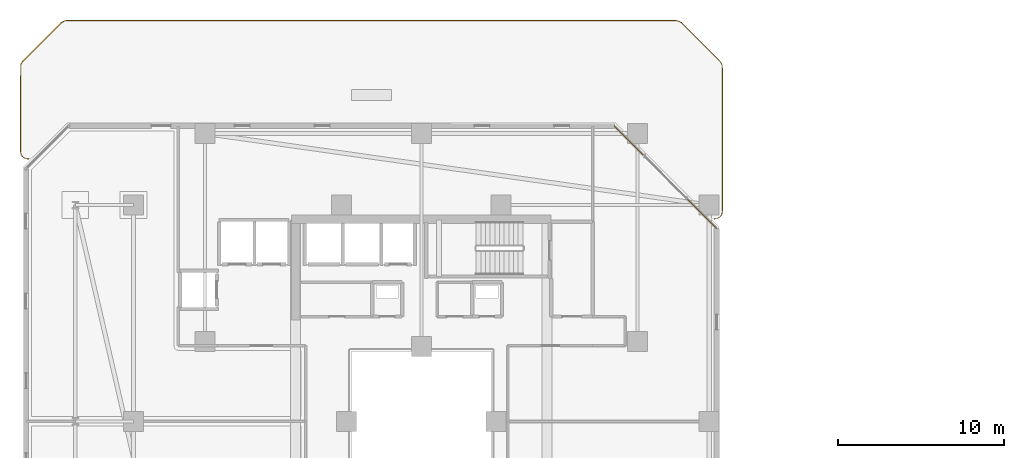
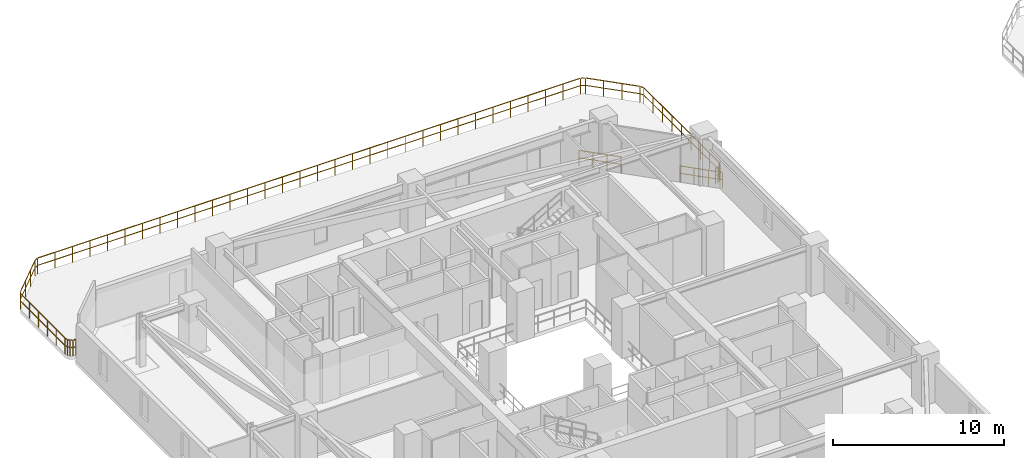
# One storey, part 29 of 31: 3 railings.
"""IFC4 building model written with IfcOpenShell, lengths in metres."""

from ifc_helpers import new_model, si_unit, direction, frame, origin, origin_2d, place, context, subcontext, project, spatial, rectangle, extrude, material, type_object, element, save


model = new_model("IFC4")

# Units and contexts
model_context = context("Model", 3, precision=1e-05, world=origin(), true_north=direction((0.0, 1.0)))
body_context = subcontext(model_context, "Body", "Model", "MODEL_VIEW")
ifc_project = project(units=[si_unit("LENGTHUNIT", "METRE"), si_unit("AREAUNIT", "SQUARE_METRE"), si_unit("VOLUMEUNIT", "CUBIC_METRE"), si_unit("PLANEANGLEUNIT", "RADIAN"), si_unit("MASSUNIT", "GRAM", prefix="KILO")], contexts=[model_context])

# Site, building, storey
site_placement = place(None, origin())
site = spatial("IfcSite", under=ifc_project, at=site_placement, CompositionType="ELEMENT")
building_placement = place(site_placement, origin())
building = spatial("IfcBuilding", under=site, at=building_placement, Name="Thornwick Lancets Civic Towers", CompositionType="ELEMENT")
storey_placement = place(building_placement, frame((0.0, 0.0, 119.699951171875)))
storey = spatial("IfcBuildingStorey", under=building, at=storey_placement, Name="L31", CompositionType="ELEMENT", Elevation=119.699951171875)

# Railings
ifc_material = material(Name="Terracotta-capped laminated glass balustrade S355", Category="masonry")
railing_type = type_object("IfcRailingType", Name="RAIL_TERR_GUARD", PredefinedType="GUARDRAIL", material=ifc_material)
for number, where, name in (
    (1, (43.252685546875, 38.596435546875, 0.0), "L31 Tower A Chamfer Spandrel Guard E3-1"),
    (2, (38.908447265625, 42.940673828125, 0.0), "L31 Tower A Chamfer Spandrel Guard E3-2"),
):
    element("IfcRailing", number, at=place(storey_placement, frame(where)), inside=storey, type_object=railing_type, Name=name, PredefinedType="GUARDRAIL", context=body_context, shape_type="SweptSolid", body=[
        extrude(rectangle(XDim=0.048095703125, YDim=0.048095703125, at=origin_2d()), frame((0.0, 0.0, 1.1259765625), z_axis=(-0.707106781187, 0.707106781187, 0.0), x_axis=(-0.707106781187, -0.707106781187, 0.0)), (0.0, 0.0, 1.0), 2.5625),
        extrude(rectangle(XDim=0.0419921875, YDim=0.0419921875, at=origin_2d()), frame((-0.026611328125, 0.026611328125, 0.597900390625), z_axis=(-0.707106781187, 0.707106781187, 0.0), x_axis=(-0.707106781187, -0.707106781187, 0.0)), (0.0, 0.0, 1.0), 0.779296875),
        extrude(rectangle(XDim=0.0419921875, YDim=0.0419921875, at=origin_2d()), frame((-0.630615234375, 0.630615234375, 0.597900390625), z_axis=(-0.707106781187, 0.707106781187, 0.0), x_axis=(-0.707106781187, -0.707106781187, 0.0)), (0.0, 0.0, 1.0), 0.779296875),
        extrude(rectangle(XDim=0.0419921875, YDim=0.0419921875, at=origin_2d()), frame((-1.234619140625, 1.234619140625, 0.597900390625), z_axis=(-0.707106781187, 0.707106781187, 0.0), x_axis=(-0.707106781187, -0.707106781187, 0.0)), (0.0, 0.0, 1.0), 0.779296875),
        extrude(rectangle(XDim=0.0419921875, YDim=0.0419921875, at=origin_2d()), origin(), (0.0, 0.0, 1.0), 1.095703125),
        extrude(rectangle(XDim=0.0419921875, YDim=0.0419921875, at=origin_2d()), frame((-0.60400390625, 0.60400390625, 0.0)), (0.0, 0.0, 1.0), 1.095703125),
        extrude(rectangle(XDim=0.0419921875, YDim=0.0419921875, at=origin_2d()), frame((-1.2080078125, 1.2080078125, 0.0)), (0.0, 0.0, 1.0), 1.095703125),
        extrude(rectangle(XDim=0.0419921875, YDim=0.0419921875, at=origin_2d()), frame((-1.81201171875, 1.81201171875, 0.0)), (0.0, 0.0, 1.0), 1.095703125),
    ])
railing_placement = place(storey_placement, frame((1.897705078125, 42.767333984375, 0.0)))
element("IfcRailing", 3, at=railing_placement, inside=storey, type_object=railing_type, Name="L31 Tower A Sky-Garden Guard 1", PredefinedType="GUARDRAIL", context=body_context, shape_type="SweptSolid", body=[
    extrude(rectangle(XDim=0.048095703125, YDim=0.048095703125, at=origin_2d()), frame((0.0, 0.0, 1.1259765625), z_axis=(-0.99556264392, 0.094101126617, 0.0), x_axis=(-0.094101126617, -0.99556264392, 0.0)), (0.0, 0.0, 1.0), 0.147705078125),
    extrude(rectangle(XDim=0.0419921875, YDim=0.0419921875, at=origin_2d()), frame((-0.037353515625, 0.00341796875, 0.597900390625), z_axis=(-0.99556264392, 0.094101126617, 0.0), x_axis=(-0.094101126617, -0.99556264392, 0.0)), (0.0, 0.0, 1.0), 0.10400390625),
    extrude(rectangle(XDim=0.048095703125, YDim=0.048095703125, at=origin_2d()), frame((-0.205810546875, 0.031494140625, 1.1259765625), z_axis=(-0.882737459384, 0.469866553184, 0.0), x_axis=(-0.469866553184, -0.882737459384, 0.0)), (0.0, 0.0, 1.0), 0.113037109375),
    extrude(rectangle(XDim=0.0419921875, YDim=0.0419921875, at=origin_2d()), frame((-0.21142578125, 0.034423828125, 0.597900390625), z_axis=(-0.882737459384, 0.469866553184, 0.0), x_axis=(-0.469866553184, -0.882737459384, 0.0)), (0.0, 0.0, 1.0), 0.1005859375),
    extrude(rectangle(XDim=0.048095703125, YDim=0.048095703125, at=origin_2d()), frame((-0.35302734375, 0.12353515625, 1.1259765625), z_axis=(-0.63346470779, 0.773771583857, 0.0), x_axis=(-0.773771583857, -0.63346470779, 0.0)), (0.0, 0.0, 1.0), 0.11328125),
    extrude(rectangle(XDim=0.0419921875, YDim=0.0419921875, at=origin_2d()), frame((-0.35693359375, 0.12841796875, 0.597900390625), z_axis=(-0.63346470779, 0.773771583857, 0.0), x_axis=(-0.773771583857, -0.63346470779, 0.0)), (0.0, 0.0, 1.0), 0.100830078125),
    extrude(rectangle(XDim=0.048095703125, YDim=0.048095703125, at=origin_2d()), frame((-0.45361328125, 0.265380859375, 1.1259765625), z_axis=(-0.290663510508, 0.956825336025, 0.0), x_axis=(-0.956825336025, -0.290663510508, 0.0)), (0.0, 0.0, 1.0), 0.113037109375),
    extrude(rectangle(XDim=0.0419921875, YDim=0.0419921875, at=origin_2d()), frame((-0.45556640625, 0.271240234375, 0.597900390625), z_axis=(-0.290663510508, 0.956825336025, 0.0), x_axis=(-0.956825336025, -0.290663510508, 0.0)), (0.0, 0.0, 1.0), 0.1005859375),
    extrude(rectangle(XDim=0.048095703125, YDim=0.048095703125, at=origin_2d()), frame((-0.49560546875, 0.4345703125, 1.1259765625), z_axis=(0.00328701928, 0.999994597738, 0.0), x_axis=(-0.999994597738, 0.00328701928, 0.0)), (0.0, 0.0, 1.0), 5.2109375),
    extrude(rectangle(XDim=0.0419921875, YDim=0.0419921875, at=origin_2d()), frame((-0.495361328125, 0.44091796875, 0.597900390625), z_axis=(0.00328701928, 0.999994597738, 0.0), x_axis=(-0.999994597738, 0.00328701928, 0.0)), (0.0, 0.0, 1.0), 0.979736328125),
    extrude(rectangle(XDim=0.0419921875, YDim=0.0419921875, at=origin_2d()), frame((-0.491943359375, 1.49560546875, 0.597900390625), z_axis=(0.00328701928, 0.999994597738, 0.0), x_axis=(-0.999994597738, 0.00328701928, 0.0)), (0.0, 0.0, 1.0), 0.979736328125),
    extrude(rectangle(XDim=0.0419921875, YDim=0.0419921875, at=origin_2d()), frame((-0.488525390625, 2.55029296875, 0.597900390625), z_axis=(0.00328701928, 0.999994597738, 0.0), x_axis=(-0.999994597738, 0.00328701928, 0.0)), (0.0, 0.0, 1.0), 0.979736328125),
    extrude(rectangle(XDim=0.0419921875, YDim=0.0419921875, at=origin_2d()), frame((-0.485107421875, 3.60498046875, 0.597900390625), z_axis=(0.00328701928, 0.999994597738, 0.0), x_axis=(-0.999994597738, 0.00328701928, 0.0)), (0.0, 0.0, 1.0), 0.979736328125),
    extrude(rectangle(XDim=0.0419921875, YDim=0.0419921875, at=origin_2d()), frame((-0.481689453125, 4.65966796875, 0.597900390625), z_axis=(0.00328701928, 0.999994597738, 0.0), x_axis=(-0.999994597738, 0.00328701928, 0.0)), (0.0, 0.0, 1.0), 0.979736328125),
    extrude(rectangle(XDim=0.048095703125, YDim=0.048095703125, at=origin_2d()), frame((-0.462158203125, 5.70361328125, 1.1259765625), z_axis=(0.513346500392, 0.858181432178, 0.0), x_axis=(-0.858181432178, 0.513346500392, 0.0)), (0.0, 0.0, 1.0), 0.15625),
    extrude(rectangle(XDim=0.0419921875, YDim=0.0419921875, at=origin_2d()), frame((-0.458984375, 5.708984375, 0.597900390625), z_axis=(0.513346500392, 0.858181432178, 0.0), x_axis=(-0.858181432178, 0.513346500392, 0.0)), (0.0, 0.0, 1.0), 0.143798828125),
    extrude(rectangle(XDim=0.048095703125, YDim=0.048095703125, at=origin_2d()), frame((-0.34375, 5.88671875, 1.1259765625), z_axis=(0.707106781187, 0.707106781187, 0.0), x_axis=(-0.707106781187, 0.707106781187, 0.0)), (0.0, 0.0, 1.0), 3.24169921875),
    extrude(rectangle(XDim=0.0419921875, YDim=0.0419921875, at=origin_2d()), frame((-0.33935546875, 5.89111328125, 0.597900390625), z_axis=(0.707106781187, 0.707106781187, 0.0), x_axis=(-0.707106781187, 0.707106781187, 0.0)), (0.0, 0.0, 1.0), 1.0263671875),
    extrude(rectangle(XDim=0.0419921875, YDim=0.0419921875, at=origin_2d()), frame((0.439453125, 6.669921875, 0.597900390625), z_axis=(0.707106781187, 0.707106781187, 0.0), x_axis=(-0.707106781187, 0.707106781187, 0.0)), (0.0, 0.0, 1.0), 1.0263671875),
    extrude(rectangle(XDim=0.0419921875, YDim=0.0419921875, at=origin_2d()), frame((1.21826171875, 7.44873046875, 0.597900390625), z_axis=(0.707106781187, 0.707106781187, 0.0), x_axis=(-0.707106781187, 0.707106781187, 0.0)), (0.0, 0.0, 1.0), 1.0263671875),
    extrude(rectangle(XDim=0.048095703125, YDim=0.048095703125, at=origin_2d()), frame((1.998046875, 8.215576171875, 1.1259765625), z_axis=(0.882145912945, 0.470976207759, 0.0), x_axis=(-0.470976207759, 0.882145912945, 0.0)), (0.0, 0.0, 1.0), 0.19873046875),
    extrude(rectangle(XDim=0.0419921875, YDim=0.0419921875, at=origin_2d()), frame((2.00341796875, 8.218505859375, 0.597900390625), z_axis=(0.882145912945, 0.470976207759, 0.0), x_axis=(-0.470976207759, 0.882145912945, 0.0)), (0.0, 0.0, 1.0), 0.186279296875),
    extrude(rectangle(XDim=0.048095703125, YDim=0.048095703125, at=origin_2d()), frame((2.232177734375, 8.323974609375, 1.1259765625), z_axis=(0.999999983921, 0.000179324541, 0.0), x_axis=(-0.000179324541, 0.999999983921, 0.0)), (0.0, 0.0, 1.0), 36.696533203125),
    extrude(rectangle(XDim=0.0419921875, YDim=0.0419921875, at=origin_2d()), frame((2.238525390625, 8.323974609375, 0.597900390625), z_axis=(0.999999983921, 0.000179324541, 0.0), x_axis=(-0.000179324541, 0.999999983921, 0.0)), (0.0, 0.0, 1.0), 1.11083984375),
    extrude(rectangle(XDim=0.0419921875, YDim=0.0419921875, at=origin_2d()), frame((3.42431640625, 8.32421875, 0.597900390625), z_axis=(0.999999983921, 0.000179324541, 0.0), x_axis=(-0.000179324541, 0.999999983921, 0.0)), (0.0, 0.0, 1.0), 1.11083984375),
    extrude(rectangle(XDim=0.0419921875, YDim=0.0419921875, at=origin_2d()), frame((4.60986328125, 8.324462890625, 0.597900390625), z_axis=(0.999999983921, 0.000179324541, 0.0), x_axis=(-0.000179324541, 0.999999983921, 0.0)), (0.0, 0.0, 1.0), 1.11083984375),
    extrude(rectangle(XDim=0.0419921875, YDim=0.0419921875, at=origin_2d()), frame((5.795654296875, 8.32470703125, 0.597900390625), z_axis=(0.999999983921, 0.000179324541, 0.0), x_axis=(-0.000179324541, 0.999999983921, 0.0)), (0.0, 0.0, 1.0), 1.11083984375),
    extrude(rectangle(XDim=0.0419921875, YDim=0.0419921875, at=origin_2d()), frame((6.9814453125, 8.324951171875, 0.597900390625), z_axis=(0.999999983921, 0.000179324541, 0.0), x_axis=(-0.000179324541, 0.999999983921, 0.0)), (0.0, 0.0, 1.0), 1.11083984375),
    extrude(rectangle(XDim=0.0419921875, YDim=0.0419921875, at=origin_2d()), frame((8.167236328125, 8.324951171875, 0.597900390625), z_axis=(0.999999983921, 0.000179324541, 0.0), x_axis=(-0.000179324541, 0.999999983921, 0.0)), (0.0, 0.0, 1.0), 1.11083984375),
    extrude(rectangle(XDim=0.0419921875, YDim=0.0419921875, at=origin_2d()), frame((9.35302734375, 8.3251953125, 0.597900390625), z_axis=(0.999999983921, 0.000179324541, 0.0), x_axis=(-0.000179324541, 0.999999983921, 0.0)), (0.0, 0.0, 1.0), 1.11083984375),
    extrude(rectangle(XDim=0.0419921875, YDim=0.0419921875, at=origin_2d()), frame((10.538818359375, 8.325439453125, 0.597900390625), z_axis=(0.999999983921, 0.000179324541, 0.0), x_axis=(-0.000179324541, 0.999999983921, 0.0)), (0.0, 0.0, 1.0), 1.11083984375),
    extrude(rectangle(XDim=0.0419921875, YDim=0.0419921875, at=origin_2d()), frame((11.724609375, 8.32568359375, 0.597900390625), z_axis=(0.999999983921, 0.000179324541, 0.0), x_axis=(-0.000179324541, 0.999999983921, 0.0)), (0.0, 0.0, 1.0), 1.11083984375),
    extrude(rectangle(XDim=0.0419921875, YDim=0.0419921875, at=origin_2d()), frame((12.910400390625, 8.325927734375, 0.597900390625), z_axis=(0.999999983921, 0.000179324541, 0.0), x_axis=(-0.000179324541, 0.999999983921, 0.0)), (0.0, 0.0, 1.0), 1.11083984375),
    extrude(rectangle(XDim=0.0419921875, YDim=0.0419921875, at=origin_2d()), frame((14.09619140625, 8.326171875, 0.597900390625), z_axis=(0.999999983921, 0.000179324541, 0.0), x_axis=(-0.000179324541, 0.999999983921, 0.0)), (0.0, 0.0, 1.0), 1.11083984375),
    extrude(rectangle(XDim=0.0419921875, YDim=0.0419921875, at=origin_2d()), frame((15.281982421875, 8.326416015625, 0.597900390625), z_axis=(0.999999983921, 0.000179324541, 0.0), x_axis=(-0.000179324541, 0.999999983921, 0.0)), (0.0, 0.0, 1.0), 1.11083984375),
    extrude(rectangle(XDim=0.0419921875, YDim=0.0419921875, at=origin_2d()), frame((16.4677734375, 8.326416015625, 0.597900390625), z_axis=(0.999999983921, 0.000179324541, 0.0), x_axis=(-0.000179324541, 0.999999983921, 0.0)), (0.0, 0.0, 1.0), 1.11083984375),
    extrude(rectangle(XDim=0.0419921875, YDim=0.0419921875, at=origin_2d()), frame((17.653564453125, 8.32666015625, 0.597900390625), z_axis=(0.999999983921, 0.000179324541, 0.0), x_axis=(-0.000179324541, 0.999999983921, 0.0)), (0.0, 0.0, 1.0), 1.11083984375),
    extrude(rectangle(XDim=0.0419921875, YDim=0.0419921875, at=origin_2d()), frame((18.83935546875, 8.326904296875, 0.597900390625), z_axis=(0.999999983921, 0.000179324541, 0.0), x_axis=(-0.000179324541, 0.999999983921, 0.0)), (0.0, 0.0, 1.0), 1.11083984375),
    extrude(rectangle(XDim=0.0419921875, YDim=0.0419921875, at=origin_2d()), frame((20.025146484375, 8.3271484375, 0.597900390625), z_axis=(0.999999983921, 0.000179324541, 0.0), x_axis=(-0.000179324541, 0.999999983921, 0.0)), (0.0, 0.0, 1.0), 1.11083984375),
    extrude(rectangle(XDim=0.0419921875, YDim=0.0419921875, at=origin_2d()), frame((21.2109375, 8.327392578125, 0.597900390625), z_axis=(0.999999983921, 0.000179324541, 0.0), x_axis=(-0.000179324541, 0.999999983921, 0.0)), (0.0, 0.0, 1.0), 1.11083984375),
    extrude(rectangle(XDim=0.0419921875, YDim=0.0419921875, at=origin_2d()), frame((22.396484375, 8.32763671875, 0.597900390625), z_axis=(0.999999983921, 0.000179324541, 0.0), x_axis=(-0.000179324541, 0.999999983921, 0.0)), (0.0, 0.0, 1.0), 1.11083984375),
    extrude(rectangle(XDim=0.0419921875, YDim=0.0419921875, at=origin_2d()), frame((23.582275390625, 8.327880859375, 0.597900390625), z_axis=(0.999999983921, 0.000179324541, 0.0), x_axis=(-0.000179324541, 0.999999983921, 0.0)), (0.0, 0.0, 1.0), 1.11083984375),
    extrude(rectangle(XDim=0.0419921875, YDim=0.0419921875, at=origin_2d()), frame((24.76806640625, 8.328125, 0.597900390625), z_axis=(0.999999983921, 0.000179324541, 0.0), x_axis=(-0.000179324541, 0.999999983921, 0.0)), (0.0, 0.0, 1.0), 1.11083984375),
    extrude(rectangle(XDim=0.0419921875, YDim=0.0419921875, at=origin_2d()), frame((25.953857421875, 8.328125, 0.597900390625), z_axis=(0.999999983921, 0.000179324541, 0.0), x_axis=(-0.000179324541, 0.999999983921, 0.0)), (0.0, 0.0, 1.0), 1.11083984375),
    extrude(rectangle(XDim=0.0419921875, YDim=0.0419921875, at=origin_2d()), frame((27.1396484375, 8.328369140625, 0.597900390625), z_axis=(0.999999983921, 0.000179324541, 0.0), x_axis=(-0.000179324541, 0.999999983921, 0.0)), (0.0, 0.0, 1.0), 1.11083984375),
    extrude(rectangle(XDim=0.0419921875, YDim=0.0419921875, at=origin_2d()), frame((28.325439453125, 8.32861328125, 0.597900390625), z_axis=(0.999999983921, 0.000179324541, 0.0), x_axis=(-0.000179324541, 0.999999983921, 0.0)), (0.0, 0.0, 1.0), 1.11083984375),
    extrude(rectangle(XDim=0.0419921875, YDim=0.0419921875, at=origin_2d()), frame((29.51123046875, 8.328857421875, 0.597900390625), z_axis=(0.999999983921, 0.000179324541, 0.0), x_axis=(-0.000179324541, 0.999999983921, 0.0)), (0.0, 0.0, 1.0), 1.11083984375),
    extrude(rectangle(XDim=0.0419921875, YDim=0.0419921875, at=origin_2d()), frame((30.697021484375, 8.3291015625, 0.597900390625), z_axis=(0.999999983921, 0.000179324541, 0.0), x_axis=(-0.000179324541, 0.999999983921, 0.0)), (0.0, 0.0, 1.0), 1.11083984375),
    extrude(rectangle(XDim=0.0419921875, YDim=0.0419921875, at=origin_2d()), frame((31.8828125, 8.329345703125, 0.597900390625), z_axis=(0.999999983921, 0.000179324541, 0.0), x_axis=(-0.000179324541, 0.999999983921, 0.0)), (0.0, 0.0, 1.0), 1.11083984375),
    extrude(rectangle(XDim=0.0419921875, YDim=0.0419921875, at=origin_2d()), frame((33.068603515625, 8.32958984375, 0.597900390625), z_axis=(0.999999983921, 0.000179324541, 0.0), x_axis=(-0.000179324541, 0.999999983921, 0.0)), (0.0, 0.0, 1.0), 1.11083984375),
    extrude(rectangle(XDim=0.0419921875, YDim=0.0419921875, at=origin_2d()), frame((34.25439453125, 8.329833984375, 0.597900390625), z_axis=(0.999999983921, 0.000179324541, 0.0), x_axis=(-0.000179324541, 0.999999983921, 0.0)), (0.0, 0.0, 1.0), 1.11083984375),
    extrude(rectangle(XDim=0.0419921875, YDim=0.0419921875, at=origin_2d()), frame((35.440185546875, 8.329833984375, 0.597900390625), z_axis=(0.999999983921, 0.000179324541, 0.0), x_axis=(-0.000179324541, 0.999999983921, 0.0)), (0.0, 0.0, 1.0), 1.11083984375),
    extrude(rectangle(XDim=0.0419921875, YDim=0.0419921875, at=origin_2d()), frame((36.6259765625, 8.330078125, 0.597900390625), z_axis=(0.999999983921, 0.000179324541, 0.0), x_axis=(-0.000179324541, 0.999999983921, 0.0)), (0.0, 0.0, 1.0), 1.11083984375),
    extrude(rectangle(XDim=0.0419921875, YDim=0.0419921875, at=origin_2d()), frame((37.811767578125, 8.330322265625, 0.597900390625), z_axis=(0.999999983921, 0.000179324541, 0.0), x_axis=(-0.000179324541, 0.999999983921, 0.0)), (0.0, 0.0, 1.0), 1.11083984375),
    extrude(rectangle(XDim=0.048095703125, YDim=0.048095703125, at=origin_2d()), frame((38.98828125, 8.317138671875, 1.1259765625), z_axis=(0.904032675255, -0.427463357578, 0.0), x_axis=(0.427463357578, 0.904032675255, 0.0)), (0.0, 0.0, 1.0), 0.24072265625),
    extrude(rectangle(XDim=0.0419921875, YDim=0.0419921875, at=origin_2d()), frame((38.993896484375, 8.314453125, 0.597900390625), z_axis=(0.904032675255, -0.427463357578, 0.0), x_axis=(0.427463357578, 0.904032675255, 0.0)), (0.0, 0.0, 1.0), 0.228271484375),
    extrude(rectangle(XDim=0.048095703125, YDim=0.048095703125, at=origin_2d()), frame((39.25634765625, 8.1787109375, 1.1259765625), z_axis=(0.707106781187, -0.707106781187, 0.0), x_axis=(0.707106781187, 0.707106781187, 0.0)), (0.0, 0.0, 1.0), 3.24169921875),
    extrude(rectangle(XDim=0.0419921875, YDim=0.0419921875, at=origin_2d()), frame((39.2607421875, 8.17431640625, 0.597900390625), z_axis=(0.707106781187, -0.707106781187, 0.0), x_axis=(0.707106781187, 0.707106781187, 0.0)), (0.0, 0.0, 1.0), 1.0263671875),
    extrude(rectangle(XDim=0.0419921875, YDim=0.0419921875, at=origin_2d()), frame((40.03955078125, 7.3955078125, 0.597900390625), z_axis=(0.707106781187, -0.707106781187, 0.0), x_axis=(0.707106781187, 0.707106781187, 0.0)), (0.0, 0.0, 1.0), 1.0263671875),
    extrude(rectangle(XDim=0.0419921875, YDim=0.0419921875, at=origin_2d()), frame((40.818359375, 6.61669921875, 0.597900390625), z_axis=(0.707106781187, -0.707106781187, 0.0), x_axis=(0.707106781187, 0.707106781187, 0.0)), (0.0, 0.0, 1.0), 1.0263671875),
    extrude(rectangle(XDim=0.048095703125, YDim=0.048095703125, at=origin_2d()), frame((41.585205078125, 5.8369140625, 1.1259765625), z_axis=(0.470976207759, -0.882145912945, 0.0), x_axis=(0.882145912945, 0.470976207759, 0.0)), (0.0, 0.0, 1.0), 0.19873046875),
    extrude(rectangle(XDim=0.0419921875, YDim=0.0419921875, at=origin_2d()), frame((41.588134765625, 5.83154296875, 0.597900390625), z_axis=(0.470976207759, -0.882145912945, 0.0), x_axis=(0.882145912945, 0.470976207759, 0.0)), (0.0, 0.0, 1.0), 0.186279296875),
    extrude(rectangle(XDim=0.048095703125, YDim=0.048095703125, at=origin_2d()), frame((41.693603515625, 5.602783203125, 1.1259765625), z_axis=(0.000746454134, -0.999999721403, 0.0), x_axis=(0.999999721403, 0.000746454134, 0.0)), (0.0, 0.0, 1.0), 8.768310546875),
    extrude(rectangle(XDim=0.0419921875, YDim=0.0419921875, at=origin_2d()), frame((41.693603515625, 5.596435546875, 0.597900390625), z_axis=(0.000746454134, -0.999999721403, 0.0), x_axis=(0.999999721403, 0.000746454134, 0.0)), (0.0, 0.0, 1.0), 1.02880859375),
    extrude(rectangle(XDim=0.0419921875, YDim=0.0419921875, at=origin_2d()), frame((41.6943359375, 4.49267578125, 0.597900390625), z_axis=(0.000746454134, -0.999999721403, 0.0), x_axis=(0.999999721403, 0.000746454134, 0.0)), (0.0, 0.0, 1.0), 1.02880859375),
    extrude(rectangle(XDim=0.0419921875, YDim=0.0419921875, at=origin_2d()), frame((41.6953125, 3.388916015625, 0.597900390625), z_axis=(0.000746454134, -0.999999721403, 0.0), x_axis=(0.999999721403, 0.000746454134, 0.0)), (0.0, 0.0, 1.0), 1.02880859375),
    extrude(rectangle(XDim=0.0419921875, YDim=0.0419921875, at=origin_2d()), frame((41.696044921875, 2.284912109375, 0.597900390625), z_axis=(0.000746454134, -0.999999721403, 0.0), x_axis=(0.999999721403, 0.000746454134, 0.0)), (0.0, 0.0, 1.0), 1.02880859375),
    extrude(rectangle(XDim=0.0419921875, YDim=0.0419921875, at=origin_2d()), frame((41.697021484375, 1.18115234375, 0.597900390625), z_axis=(0.000746454134, -0.999999721403, 0.0), x_axis=(0.999999721403, 0.000746454134, 0.0)), (0.0, 0.0, 1.0), 1.02880859375),
    extrude(rectangle(XDim=0.0419921875, YDim=0.0419921875, at=origin_2d()), frame((41.69775390625, 0.077392578125, 0.597900390625), z_axis=(0.000746454134, -0.999999721403, 0.0), x_axis=(0.999999721403, 0.000746454134, 0.0)), (0.0, 0.0, 1.0), 1.02880859375),
    extrude(rectangle(XDim=0.0419921875, YDim=0.0419921875, at=origin_2d()), frame((41.698486328125, -1.026611328125, 0.597900390625), z_axis=(0.000746454134, -0.999999721403, 0.0), x_axis=(0.999999721403, 0.000746454134, 0.0)), (0.0, 0.0, 1.0), 1.02880859375),
    extrude(rectangle(XDim=0.0419921875, YDim=0.0419921875, at=origin_2d()), frame((41.699462890625, -2.13037109375, 0.597900390625), z_axis=(0.000746454134, -0.999999721403, 0.0), x_axis=(0.999999721403, 0.000746454134, 0.0)), (0.0, 0.0, 1.0), 1.02880859375),
    extrude(rectangle(XDim=0.048095703125, YDim=0.048095703125, at=origin_2d()), frame((41.691162109375, -3.226806640625, 1.1259765625), z_axis=(-0.290663510508, -0.956825336025, 0.0), x_axis=(0.956825336025, -0.290663510508, 0.0)), (0.0, 0.0, 1.0), 0.113037109375),
    extrude(rectangle(XDim=0.0419921875, YDim=0.0419921875, at=origin_2d()), frame((41.689208984375, -3.232666015625, 0.597900390625), z_axis=(-0.290663510508, -0.956825336025, 0.0), x_axis=(0.956825336025, -0.290663510508, 0.0)), (0.0, 0.0, 1.0), 0.1005859375),
    extrude(rectangle(XDim=0.048095703125, YDim=0.048095703125, at=origin_2d()), frame((41.62939453125, -3.388916015625, 1.1259765625), z_axis=(-0.634146109242, -0.773213238462, 0.0), x_axis=(0.773213238462, -0.634146109242, 0.0)), (0.0, 0.0, 1.0), 0.113037109375),
    extrude(rectangle(XDim=0.0419921875, YDim=0.0419921875, at=origin_2d()), frame((41.62548828125, -3.393798828125, 0.597900390625), z_axis=(-0.634146109242, -0.773213238462, 0.0), x_axis=(0.773213238462, -0.634146109242, 0.0)), (0.0, 0.0, 1.0), 0.1005859375),
    extrude(rectangle(XDim=0.048095703125, YDim=0.048095703125, at=origin_2d()), frame((41.51025390625, -3.51513671875, 1.1259765625), z_axis=(-0.882160586654, -0.470948722639, 0.0), x_axis=(0.470948722639, -0.882160586654, 0.0)), (0.0, 0.0, 1.0), 0.11328125),
    extrude(rectangle(XDim=0.0419921875, YDim=0.0419921875, at=origin_2d()), frame((41.5048828125, -3.51806640625, 0.597900390625), z_axis=(-0.882160586654, -0.470948722639, 0.0), x_axis=(0.470948722639, -0.882160586654, 0.0)), (0.0, 0.0, 1.0), 0.100830078125),
    extrude(rectangle(XDim=0.048095703125, YDim=0.048095703125, at=origin_2d()), frame((41.351806640625, -3.586181640625, 1.1259765625), z_axis=(-0.99556264392, -0.094101126617, 0.0), x_axis=(0.094101126617, -0.99556264392, 0.0)), (0.0, 0.0, 1.0), 0.147705078125),
    extrude(rectangle(XDim=0.0419921875, YDim=0.0419921875, at=origin_2d()), frame((41.345458984375, -3.586669921875, 0.597900390625), z_axis=(-0.99556264392, -0.094101126617, 0.0), x_axis=(0.094101126617, -0.99556264392, 0.0)), (0.0, 0.0, 1.0), 0.10400390625),
    extrude(rectangle(XDim=0.0419921875, YDim=0.0419921875, at=origin_2d()), origin(), (0.0, 0.0, 1.0), 1.095703125),
    extrude(rectangle(XDim=0.0419921875, YDim=0.0419921875, at=origin_2d()), frame((-0.17822265625, 0.016845703125, 0.0)), (0.0, 0.0, 1.0), 1.095703125),
    extrude(rectangle(XDim=0.0419921875, YDim=0.0419921875, at=origin_2d()), frame((-0.333251953125, 0.099365234375, 0.0)), (0.0, 0.0, 1.0), 1.095703125),
    extrude(rectangle(XDim=0.0419921875, YDim=0.0419921875, at=origin_2d()), frame((-0.444580078125, 0.2353515625, 0.0)), (0.0, 0.0, 1.0), 1.095703125),
    extrude(rectangle(XDim=0.0419921875, YDim=0.0419921875, at=origin_2d()), frame((-0.49560546875, 0.4033203125, 0.0)), (0.0, 0.0, 1.0), 1.095703125),
    extrude(rectangle(XDim=0.0419921875, YDim=0.0419921875, at=origin_2d()), frame((-0.4921875, 1.4580078125, 0.0)), (0.0, 0.0, 1.0), 1.095703125),
    extrude(rectangle(XDim=0.0419921875, YDim=0.0419921875, at=origin_2d()), frame((-0.48876953125, 2.5126953125, 0.0)), (0.0, 0.0, 1.0), 1.095703125),
    extrude(rectangle(XDim=0.0419921875, YDim=0.0419921875, at=origin_2d()), frame((-0.485107421875, 3.5673828125, 0.0)), (0.0, 0.0, 1.0), 1.095703125),
    extrude(rectangle(XDim=0.0419921875, YDim=0.0419921875, at=origin_2d()), frame((-0.481689453125, 4.6220703125, 0.0)), (0.0, 0.0, 1.0), 1.095703125),
    extrude(rectangle(XDim=0.0419921875, YDim=0.0419921875, at=origin_2d()), frame((-0.478271484375, 5.6767578125, 0.0)), (0.0, 0.0, 1.0), 1.095703125),
    extrude(rectangle(XDim=0.0419921875, YDim=0.0419921875, at=origin_2d()), frame((-0.365966796875, 5.864501953125, 0.0)), (0.0, 0.0, 1.0), 1.095703125),
    extrude(rectangle(XDim=0.0419921875, YDim=0.0419921875, at=origin_2d()), frame((0.412841796875, 6.643310546875, 0.0)), (0.0, 0.0, 1.0), 1.095703125),
    extrude(rectangle(XDim=0.0419921875, YDim=0.0419921875, at=origin_2d()), frame((1.191650390625, 7.422119140625, 0.0)), (0.0, 0.0, 1.0), 1.095703125),
    extrude(rectangle(XDim=0.0419921875, YDim=0.0419921875, at=origin_2d()), frame((1.970458984375, 8.200927734375, 0.0)), (0.0, 0.0, 1.0), 1.095703125),
    extrude(rectangle(XDim=0.0419921875, YDim=0.0419921875, at=origin_2d()), frame((2.200927734375, 8.323974609375, 0.0)), (0.0, 0.0, 1.0), 1.095703125),
    extrude(rectangle(XDim=0.0419921875, YDim=0.0419921875, at=origin_2d()), frame((3.38671875, 8.32421875, 0.0)), (0.0, 0.0, 1.0), 1.095703125),
    extrude(rectangle(XDim=0.0419921875, YDim=0.0419921875, at=origin_2d()), frame((4.572509765625, 8.324462890625, 0.0)), (0.0, 0.0, 1.0), 1.095703125),
    extrude(rectangle(XDim=0.0419921875, YDim=0.0419921875, at=origin_2d()), frame((5.75830078125, 8.32470703125, 0.0)), (0.0, 0.0, 1.0), 1.095703125),
    extrude(rectangle(XDim=0.0419921875, YDim=0.0419921875, at=origin_2d()), frame((6.944091796875, 8.32470703125, 0.0)), (0.0, 0.0, 1.0), 1.095703125),
    extrude(rectangle(XDim=0.0419921875, YDim=0.0419921875, at=origin_2d()), frame((8.1298828125, 8.324951171875, 0.0)), (0.0, 0.0, 1.0), 1.095703125),
    extrude(rectangle(XDim=0.0419921875, YDim=0.0419921875, at=origin_2d()), frame((9.315673828125, 8.3251953125, 0.0)), (0.0, 0.0, 1.0), 1.095703125),
    extrude(rectangle(XDim=0.0419921875, YDim=0.0419921875, at=origin_2d()), frame((10.50146484375, 8.325439453125, 0.0)), (0.0, 0.0, 1.0), 1.095703125),
    extrude(rectangle(XDim=0.0419921875, YDim=0.0419921875, at=origin_2d()), frame((11.68701171875, 8.32568359375, 0.0)), (0.0, 0.0, 1.0), 1.095703125),
    extrude(rectangle(XDim=0.0419921875, YDim=0.0419921875, at=origin_2d()), frame((12.872802734375, 8.325927734375, 0.0)), (0.0, 0.0, 1.0), 1.095703125),
    extrude(rectangle(XDim=0.0419921875, YDim=0.0419921875, at=origin_2d()), frame((14.05859375, 8.326171875, 0.0)), (0.0, 0.0, 1.0), 1.095703125),
    extrude(rectangle(XDim=0.0419921875, YDim=0.0419921875, at=origin_2d()), frame((15.244384765625, 8.326416015625, 0.0)), (0.0, 0.0, 1.0), 1.095703125),
    extrude(rectangle(XDim=0.0419921875, YDim=0.0419921875, at=origin_2d()), frame((16.43017578125, 8.326416015625, 0.0)), (0.0, 0.0, 1.0), 1.095703125),
    extrude(rectangle(XDim=0.0419921875, YDim=0.0419921875, at=origin_2d()), frame((17.615966796875, 8.32666015625, 0.0)), (0.0, 0.0, 1.0), 1.095703125),
    extrude(rectangle(XDim=0.0419921875, YDim=0.0419921875, at=origin_2d()), frame((18.8017578125, 8.326904296875, 0.0)), (0.0, 0.0, 1.0), 1.095703125),
    extrude(rectangle(XDim=0.0419921875, YDim=0.0419921875, at=origin_2d()), frame((19.987548828125, 8.3271484375, 0.0)), (0.0, 0.0, 1.0), 1.095703125),
    extrude(rectangle(XDim=0.0419921875, YDim=0.0419921875, at=origin_2d()), frame((21.17333984375, 8.327392578125, 0.0)), (0.0, 0.0, 1.0), 1.095703125),
    extrude(rectangle(XDim=0.0419921875, YDim=0.0419921875, at=origin_2d()), frame((22.359130859375, 8.32763671875, 0.0)), (0.0, 0.0, 1.0), 1.095703125),
    extrude(rectangle(XDim=0.0419921875, YDim=0.0419921875, at=origin_2d()), frame((23.544921875, 8.327880859375, 0.0)), (0.0, 0.0, 1.0), 1.095703125),
    extrude(rectangle(XDim=0.0419921875, YDim=0.0419921875, at=origin_2d()), frame((24.730712890625, 8.328125, 0.0)), (0.0, 0.0, 1.0), 1.095703125),
    extrude(rectangle(XDim=0.0419921875, YDim=0.0419921875, at=origin_2d()), frame((25.91650390625, 8.328125, 0.0)), (0.0, 0.0, 1.0), 1.095703125),
    extrude(rectangle(XDim=0.0419921875, YDim=0.0419921875, at=origin_2d()), frame((27.102294921875, 8.328369140625, 0.0)), (0.0, 0.0, 1.0), 1.095703125),
    extrude(rectangle(XDim=0.0419921875, YDim=0.0419921875, at=origin_2d()), frame((28.2880859375, 8.32861328125, 0.0)), (0.0, 0.0, 1.0), 1.095703125),
    extrude(rectangle(XDim=0.0419921875, YDim=0.0419921875, at=origin_2d()), frame((29.473876953125, 8.328857421875, 0.0)), (0.0, 0.0, 1.0), 1.095703125),
    extrude(rectangle(XDim=0.0419921875, YDim=0.0419921875, at=origin_2d()), frame((30.659423828125, 8.3291015625, 0.0)), (0.0, 0.0, 1.0), 1.095703125),
    extrude(rectangle(XDim=0.0419921875, YDim=0.0419921875, at=origin_2d()), frame((31.84521484375, 8.329345703125, 0.0)), (0.0, 0.0, 1.0), 1.095703125),
    extrude(rectangle(XDim=0.0419921875, YDim=0.0419921875, at=origin_2d()), frame((33.031005859375, 8.32958984375, 0.0)), (0.0, 0.0, 1.0), 1.095703125),
    extrude(rectangle(XDim=0.0419921875, YDim=0.0419921875, at=origin_2d()), frame((34.216796875, 8.329833984375, 0.0)), (0.0, 0.0, 1.0), 1.095703125),
    extrude(rectangle(XDim=0.0419921875, YDim=0.0419921875, at=origin_2d()), frame((35.402587890625, 8.329833984375, 0.0)), (0.0, 0.0, 1.0), 1.095703125),
    extrude(rectangle(XDim=0.0419921875, YDim=0.0419921875, at=origin_2d()), frame((36.58837890625, 8.330078125, 0.0)), (0.0, 0.0, 1.0), 1.095703125),
    extrude(rectangle(XDim=0.0419921875, YDim=0.0419921875, at=origin_2d()), frame((37.774169921875, 8.330322265625, 0.0)), (0.0, 0.0, 1.0), 1.095703125),
    extrude(rectangle(XDim=0.0419921875, YDim=0.0419921875, at=origin_2d()), frame((38.9599609375, 8.33056640625, 0.0)), (0.0, 0.0, 1.0), 1.095703125),
    extrude(rectangle(XDim=0.0419921875, YDim=0.0419921875, at=origin_2d()), frame((39.234130859375, 8.200927734375, 0.0)), (0.0, 0.0, 1.0), 1.095703125),
    extrude(rectangle(XDim=0.0419921875, YDim=0.0419921875, at=origin_2d()), frame((40.012939453125, 7.422119140625, 0.0)), (0.0, 0.0, 1.0), 1.095703125),
    extrude(rectangle(XDim=0.0419921875, YDim=0.0419921875, at=origin_2d()), frame((40.791748046875, 6.643310546875, 0.0)), (0.0, 0.0, 1.0), 1.095703125),
    extrude(rectangle(XDim=0.0419921875, YDim=0.0419921875, at=origin_2d()), frame((41.570556640625, 5.864501953125, 0.0)), (0.0, 0.0, 1.0), 1.095703125),
    extrude(rectangle(XDim=0.0419921875, YDim=0.0419921875, at=origin_2d()), frame((41.693603515625, 5.634033203125, 0.0)), (0.0, 0.0, 1.0), 1.095703125),
    extrude(rectangle(XDim=0.0419921875, YDim=0.0419921875, at=origin_2d()), frame((41.6943359375, 4.5302734375, 0.0)), (0.0, 0.0, 1.0), 1.095703125),
    extrude(rectangle(XDim=0.0419921875, YDim=0.0419921875, at=origin_2d()), frame((41.6953125, 3.42626953125, 0.0)), (0.0, 0.0, 1.0), 1.095703125),
    extrude(rectangle(XDim=0.0419921875, YDim=0.0419921875, at=origin_2d()), frame((41.696044921875, 2.322509765625, 0.0)), (0.0, 0.0, 1.0), 1.095703125),
    extrude(rectangle(XDim=0.0419921875, YDim=0.0419921875, at=origin_2d()), frame((41.69677734375, 1.21875, 0.0)), (0.0, 0.0, 1.0), 1.095703125),
    extrude(rectangle(XDim=0.0419921875, YDim=0.0419921875, at=origin_2d()), frame((41.69775390625, 0.11474609375, 0.0)), (0.0, 0.0, 1.0), 1.095703125),
    extrude(rectangle(XDim=0.0419921875, YDim=0.0419921875, at=origin_2d()), frame((41.698486328125, -0.989013671875, 0.0)), (0.0, 0.0, 1.0), 1.095703125),
    extrude(rectangle(XDim=0.0419921875, YDim=0.0419921875, at=origin_2d()), frame((41.699462890625, -2.093017578125, 0.0)), (0.0, 0.0, 1.0), 1.095703125),
    extrude(rectangle(XDim=0.0419921875, YDim=0.0419921875, at=origin_2d()), frame((41.7001953125, -3.19677734375, 0.0)), (0.0, 0.0, 1.0), 1.095703125),
    extrude(rectangle(XDim=0.0419921875, YDim=0.0419921875, at=origin_2d()), frame((41.649169921875, -3.36474609375, 0.0)), (0.0, 0.0, 1.0), 1.095703125),
    extrude(rectangle(XDim=0.0419921875, YDim=0.0419921875, at=origin_2d()), frame((41.537841796875, -3.50048828125, 0.0)), (0.0, 0.0, 1.0), 1.095703125),
    extrude(rectangle(XDim=0.0419921875, YDim=0.0419921875, at=origin_2d()), frame((41.3828125, -3.583251953125, 0.0)), (0.0, 0.0, 1.0), 1.095703125),
    extrude(rectangle(XDim=0.0419921875, YDim=0.0419921875, at=origin_2d()), frame((41.20458984375, -3.60009765625, 0.0)), (0.0, 0.0, 1.0), 1.095703125),
])

save(model, "model.ifc")
